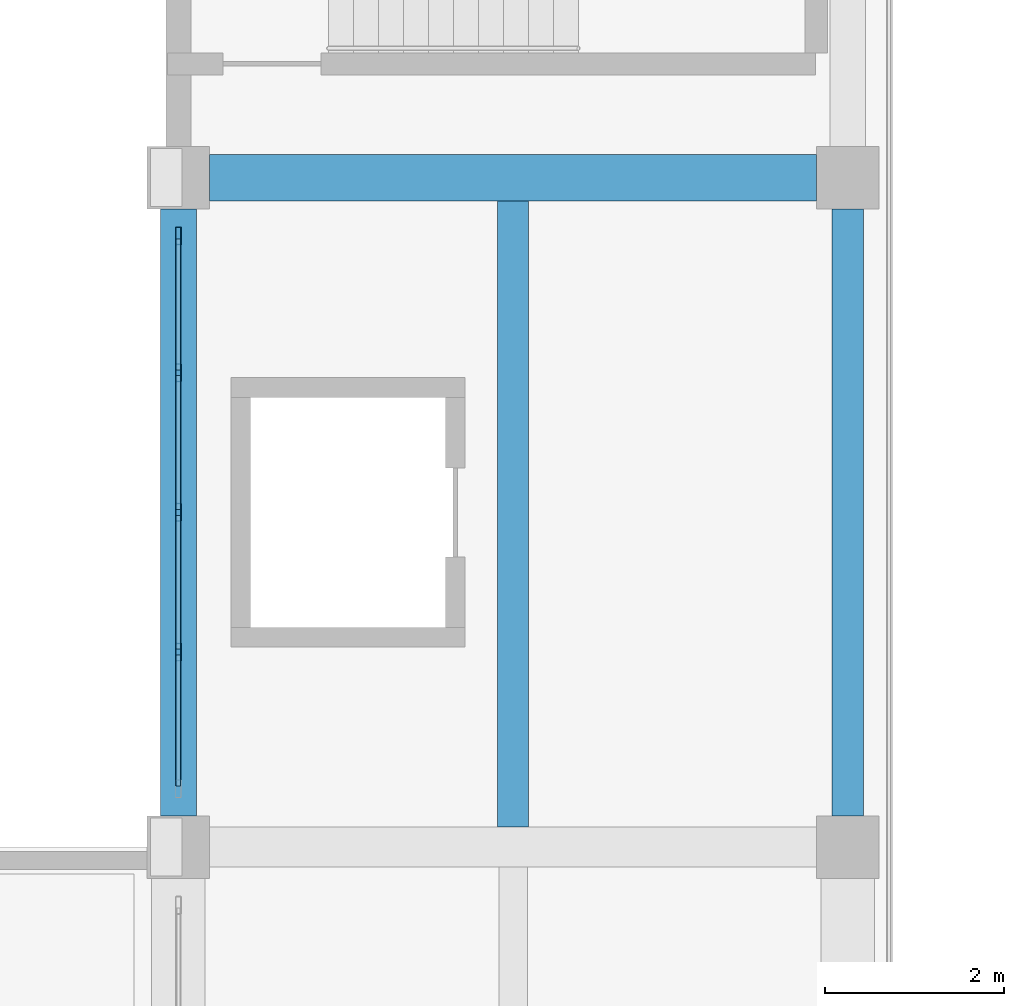
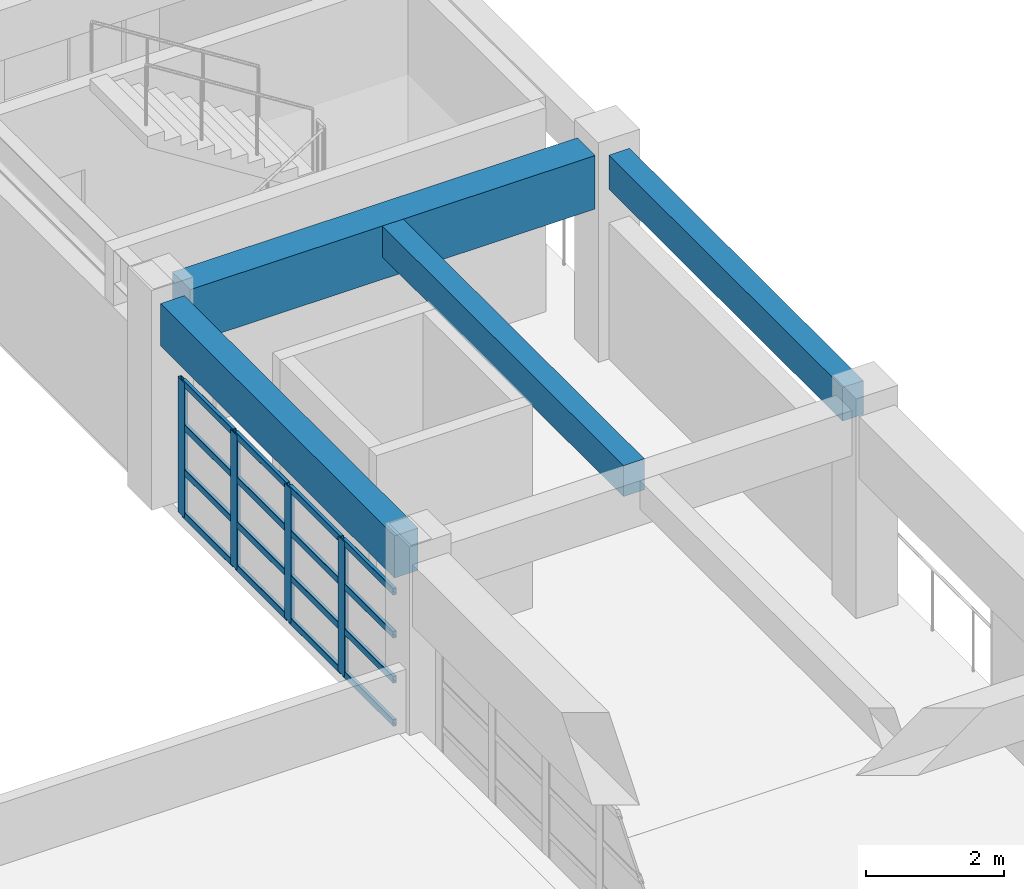
# One storey, part 15 of 82: 20 members, 4 beams, 1 element without a shape of its own.
"""IFC4 building model written with IfcOpenShell, lengths in metres."""

from ifc_helpers import new_model, si_unit, direction, frame, origin, origin_2d, place, context, subcontext, project, spatial, rectangle, hollow_rectangle, extrude, material, material_profile, profile_set, type_object, element, aggregate, save


model = new_model("IFC4")

# Units and contexts
model_context = context("Model", 3, precision=1e-05, world=origin(), true_north=direction((0.0, 1.0)))
body_context = subcontext(model_context, "Body", "Model", "MODEL_VIEW")
ifc_project = project(units=[si_unit("LENGTHUNIT", "METRE"), si_unit("AREAUNIT", "SQUARE_METRE"), si_unit("VOLUMEUNIT", "CUBIC_METRE"), si_unit("PLANEANGLEUNIT", "RADIAN"), si_unit("MASSUNIT", "GRAM", prefix="KILO")], contexts=[model_context])

# Site, building, storey
site_placement = place(None, origin())
site = spatial("IfcSite", under=ifc_project, at=site_placement, CompositionType="ELEMENT")
building_placement = place(site_placement, origin())
building = spatial("IfcBuilding", under=site, at=building_placement, Name="Qasida Concert Hall", CompositionType="ELEMENT")
storey_placement = place(building_placement, frame((0.0, 0.0, 17.10009765625)))
storey = spatial("IfcBuildingStorey", under=building, at=storey_placement, Name="L04", CompositionType="ELEMENT", Elevation=17.10009765625)

# Beams
ifc_material_1 = material(Name="Concrete C40/50", Category="concrete")
ifc_material_profile_1 = material_profile(ifc_material_1, rectangle(XDim=0.35009765625, YDim=0.60009765625, at=origin_2d()), Name="RC 350x600")
ifc_profile_set_1 = profile_set([ifc_material_profile_1], Name="Concrete C40/50")
beam_type_1 = type_object("IfcBeamType", Name="BM-B2", PredefinedType="BEAM", material=ifc_profile_set_1)
beam_1_placement = place(storey_placement, frame((60.0, 37.85009765625, 3.31982421875), z_axis=(0.0, 1.0, 0.0), x_axis=(-1.0, 0.0, 0.0)))
element("IfcBeam", 1, at=beam_1_placement, inside=storey, type_object=beam_type_1, Name="L04 girder 1845", PredefinedType="BEAM", context=body_context, shape_type="SweptSolid", body=[
    extrude(rectangle(XDim=0.35009765625, YDim=0.60009765625, at=origin_2d()), origin(), (0.0, 0.0, 1.0), 6.7998046875),
])
ifc_material_profile_2 = material_profile(ifc_material_1, rectangle(XDim=0.52001953125, YDim=0.949951171875, at=origin_2d()), Name="RC 520x950")
ifc_profile_set_2 = profile_set([ifc_material_profile_2], Name="Concrete C40/50")
beam_type_2 = type_object("IfcBeamType", Name="BM-G7", PredefinedType="USERDEFINED", material=ifc_profile_set_2)
beam_2_placement = place(storey_placement, frame((52.85009765625, 45.0, 3.14501953125), z_axis=(1.0, 0.0, 0.0), x_axis=(0.0, 1.0, 0.0)))
element("IfcBeam", 2, at=beam_2_placement, inside=storey, type_object=beam_type_2, Name="Primary girder 1817", ObjectType="GIRDER", PredefinedType="USERDEFINED", context=body_context, shape_type="SweptSolid", body=[
    extrude(rectangle(XDim=0.52001953125, YDim=0.949951171875, at=origin_2d()), origin(), (0.0, 0.0, 1.0), 6.7998046875),
])
ifc_material_profile_3 = material_profile(ifc_material_1, rectangle(XDim=0.35009765625, YDim=0.550048828125, at=origin_2d()), Name="RC 350x550")
ifc_profile_set_3 = profile_set([ifc_material_profile_3], Name="Concrete C40/50")
beam_type_3 = type_object("IfcBeamType", Name="BM-J8", PredefinedType="JOIST", material=ifc_profile_set_3)
beam_3_placement = place(storey_placement, frame((56.25, 37.72509765625, 3.344970703125), z_axis=(0.0, 1.0, 0.0), x_axis=(-1.0, 0.0, 0.0)))
element("IfcBeam", 3, at=beam_3_placement, inside=storey, type_object=beam_type_3, Name="L04 secondary joist 1871", PredefinedType="JOIST", context=body_context, shape_type="SweptSolid", body=[
    extrude(rectangle(XDim=0.35009765625, YDim=0.550048828125, at=origin_2d()), origin(), (0.0, 0.0, 1.0), 7.014892578125),
])
ifc_material_profile_4 = material_profile(ifc_material_1, rectangle(XDim=0.39990234375, YDim=0.75, at=origin_2d()), Name="RC 400x750")
ifc_profile_set_4 = profile_set([ifc_material_profile_4], Name="Concrete C40/50")
beam_type_4 = type_object("IfcBeamType", Name="BM-SP1", PredefinedType="SPANDREL", material=ifc_profile_set_4)
beam_4_placement = place(storey_placement, frame((52.5, 37.85009765625, 3.244873046875), z_axis=(0.0, 1.0, 0.0), x_axis=(-1.0, 0.0, 0.0)))
element("IfcBeam", 4, at=beam_4_placement, inside=storey, type_object=beam_type_4, Name="L04 girder 1839", PredefinedType="SPANDREL", context=body_context, shape_type="SweptSolid", body=[
    extrude(rectangle(XDim=0.39990234375, YDim=0.75, at=origin_2d()), origin(), (0.0, 0.0, 1.0), 6.7998046875),
])

# Curtain wall, members
ifc_material_2 = material(Name="Architectural bronze-anodized aluminium and low-E glass", Category="aluminium")
curtain_wall_type = type_object("IfcCurtainWallType", Name="CW-11", PredefinedType="NOTDEFINED", material=ifc_material_2)
curtain_wall_placement = place(storey_placement, origin())
curtain_wall = element("IfcCurtainWall", 5, at=curtain_wall_placement, inside=storey, type_object=curtain_wall_type, Name="L04 curtain wall CW-11 0058", PredefinedType="NOTDEFINED")
ifc_material_3 = material(Name="Architectural bronze-anodized aluminium EN AW-6063", Category="aluminium")
ifc_material_profile_5 = material_profile(ifc_material_3, hollow_rectangle(XDim=0.06494140625, YDim=0.199951171875, WallThickness=0.0048828125, InnerFilletRadius=0.0048828125, OuterFilletRadius=0.010009765625, at=origin_2d()), Name="CWM 200x65x5")
ifc_profile_set_5 = profile_set([ifc_material_profile_5], Name="Architectural bronze-anodized aluminium EN AW-6063")
member_type_1 = type_object("IfcMemberType", Name="MB-CWM-2", PredefinedType="MULLION", material=ifc_profile_set_5)
member_1_placement = place(storey_placement, frame((52.5, 39.68505859375, 0.0), z_axis=(0.0, 0.0, 1.0), x_axis=(-1.0, 0.0, 0.0)))
member_1 = element("IfcMember", 6, at=member_1_placement, type_object=member_type_1, Name="CW-11 mullion 2", PredefinedType="MULLION", context=body_context, shape_type="SweptSolid", body=[
    extrude(hollow_rectangle(XDim=0.06494140625, YDim=0.199951171875, WallThickness=0.0048828125, InnerFilletRadius=0.0048828125, OuterFilletRadius=0.010009765625, at=origin_2d()), origin(), (0.0, 0.0, 1.0), 2.389892578125),
])
member_2_placement = place(storey_placement, frame((52.5, 41.25, 0.0), z_axis=(0.0, 0.0, 1.0), x_axis=(-1.0, 0.0, 0.0)))
member_2 = element("IfcMember", 7, at=member_2_placement, type_object=member_type_1, Name="CW-11 mullion 3", PredefinedType="MULLION", context=body_context, shape_type="SweptSolid", body=[
    extrude(hollow_rectangle(XDim=0.06494140625, YDim=0.199951171875, WallThickness=0.0048828125, InnerFilletRadius=0.0048828125, OuterFilletRadius=0.010009765625, at=origin_2d()), origin(), (0.0, 0.0, 1.0), 2.389892578125),
])
member_3_placement = place(storey_placement, frame((52.5, 42.81494140625, 0.0), z_axis=(0.0, 0.0, 1.0), x_axis=(-1.0, 0.0, 0.0)))
member_3 = element("IfcMember", 8, at=member_3_placement, type_object=member_type_1, Name="CW-11 mullion 4", PredefinedType="MULLION", context=body_context, shape_type="SweptSolid", body=[
    extrude(hollow_rectangle(XDim=0.06494140625, YDim=0.199951171875, WallThickness=0.0048828125, InnerFilletRadius=0.0048828125, OuterFilletRadius=0.010009765625, at=origin_2d()), origin(), (0.0, 0.0, 1.0), 2.389892578125),
])
member_4_placement = place(storey_placement, frame((52.5, 44.347412109375, 0.0), z_axis=(0.0, 0.0, 1.0), x_axis=(-1.0, 0.0, 0.0)))
member_4 = element("IfcMember", 9, at=member_4_placement, type_object=member_type_1, Name="CW-11 mullion 5", PredefinedType="MULLION", context=body_context, shape_type="SweptSolid", body=[
    extrude(hollow_rectangle(XDim=0.06494140625, YDim=0.199951171875, WallThickness=0.0048828125, InnerFilletRadius=0.0048828125, OuterFilletRadius=0.010009765625, at=origin_2d()), origin(), (0.0, 0.0, 1.0), 2.389892578125),
])
ifc_material_profile_6 = material_profile(ifc_material_3, hollow_rectangle(XDim=0.06005859375, YDim=0.1201171875, WallThickness=0.00390625, InnerFilletRadius=0.00390625, OuterFilletRadius=0.008056640625, at=origin_2d()), Name="CWT 120x60x4")
ifc_profile_set_6 = profile_set([ifc_material_profile_6], Name="Architectural bronze-anodized aluminium EN AW-6063")
member_type_2 = type_object("IfcMemberType", Name="MB-CWT-2", PredefinedType="USERDEFINED", material=ifc_profile_set_6)
member_5_placement = place(storey_placement, frame((52.5, 38.18505859375, 0.02978515625), z_axis=(0.0, 1.0, 0.0), x_axis=(-1.0, 0.0, 0.0)))
member_5 = element("IfcMember", 10, at=member_5_placement, type_object=member_type_2, Name="CW-11 transom 1.1", ObjectType="TRANSOM", PredefinedType="USERDEFINED", context=body_context, shape_type="SweptSolid", body=[
    extrude(hollow_rectangle(XDim=0.06005859375, YDim=0.1201171875, WallThickness=0.00390625, InnerFilletRadius=0.00390625, OuterFilletRadius=0.008056640625, at=origin_2d()), origin(), (0.0, 0.0, 1.0), 1.467529296875),
])
member_6_placement = place(storey_placement, frame((52.5, 38.18505859375, 0.796630859375), z_axis=(0.0, 1.0, 0.0), x_axis=(-1.0, 0.0, 0.0)))
member_6 = element("IfcMember", 11, at=member_6_placement, type_object=member_type_2, Name="CW-11 transom 1.2", ObjectType="TRANSOM", PredefinedType="USERDEFINED", context=body_context, shape_type="SweptSolid", body=[
    extrude(hollow_rectangle(XDim=0.06005859375, YDim=0.1201171875, WallThickness=0.00390625, InnerFilletRadius=0.00390625, OuterFilletRadius=0.008056640625, at=origin_2d()), origin(), (0.0, 0.0, 1.0), 1.467529296875),
])
member_7_placement = place(storey_placement, frame((52.5, 38.18505859375, 1.59326171875), z_axis=(0.0, 1.0, 0.0), x_axis=(-1.0, 0.0, 0.0)))
member_7 = element("IfcMember", 12, at=member_7_placement, type_object=member_type_2, Name="CW-11 transom 1.3", ObjectType="TRANSOM", PredefinedType="USERDEFINED", context=body_context, shape_type="SweptSolid", body=[
    extrude(hollow_rectangle(XDim=0.06005859375, YDim=0.1201171875, WallThickness=0.00390625, InnerFilletRadius=0.00390625, OuterFilletRadius=0.008056640625, at=origin_2d()), origin(), (0.0, 0.0, 1.0), 1.467529296875),
])
member_8_placement = place(storey_placement, frame((52.5, 38.18505859375, 2.35986328125), z_axis=(0.0, 1.0, 0.0), x_axis=(-1.0, 0.0, 0.0)))
member_8 = element("IfcMember", 13, at=member_8_placement, type_object=member_type_2, Name="CW-11 transom 1.4", ObjectType="TRANSOM", PredefinedType="USERDEFINED", context=body_context, shape_type="SweptSolid", body=[
    extrude(hollow_rectangle(XDim=0.06005859375, YDim=0.1201171875, WallThickness=0.00390625, InnerFilletRadius=0.00390625, OuterFilletRadius=0.008056640625, at=origin_2d()), origin(), (0.0, 0.0, 1.0), 1.467529296875),
])
member_9_placement = place(storey_placement, frame((52.5, 39.717529296875, 0.02978515625), z_axis=(0.0, 1.0, 0.0), x_axis=(-1.0, 0.0, 0.0)))
member_9 = element("IfcMember", 14, at=member_9_placement, type_object=member_type_2, Name="CW-11 transom 2.1", ObjectType="TRANSOM", PredefinedType="USERDEFINED", context=body_context, shape_type="SweptSolid", body=[
    extrude(hollow_rectangle(XDim=0.06005859375, YDim=0.1201171875, WallThickness=0.00390625, InnerFilletRadius=0.00390625, OuterFilletRadius=0.008056640625, at=origin_2d()), origin(), (0.0, 0.0, 1.0), 1.5),
])
member_10_placement = place(storey_placement, frame((52.5, 39.717529296875, 0.796630859375), z_axis=(0.0, 1.0, 0.0), x_axis=(-1.0, 0.0, 0.0)))
member_10 = element("IfcMember", 15, at=member_10_placement, type_object=member_type_2, Name="CW-11 transom 2.2", ObjectType="TRANSOM", PredefinedType="USERDEFINED", context=body_context, shape_type="SweptSolid", body=[
    extrude(hollow_rectangle(XDim=0.06005859375, YDim=0.1201171875, WallThickness=0.00390625, InnerFilletRadius=0.00390625, OuterFilletRadius=0.008056640625, at=origin_2d()), origin(), (0.0, 0.0, 1.0), 1.5),
])
member_11_placement = place(storey_placement, frame((52.5, 39.717529296875, 1.59326171875), z_axis=(0.0, 1.0, 0.0), x_axis=(-1.0, 0.0, 0.0)))
member_11 = element("IfcMember", 16, at=member_11_placement, type_object=member_type_2, Name="CW-11 transom 2.3", ObjectType="TRANSOM", PredefinedType="USERDEFINED", context=body_context, shape_type="SweptSolid", body=[
    extrude(hollow_rectangle(XDim=0.06005859375, YDim=0.1201171875, WallThickness=0.00390625, InnerFilletRadius=0.00390625, OuterFilletRadius=0.008056640625, at=origin_2d()), origin(), (0.0, 0.0, 1.0), 1.5),
])
member_12_placement = place(storey_placement, frame((52.5, 39.717529296875, 2.35986328125), z_axis=(0.0, 1.0, 0.0), x_axis=(-1.0, 0.0, 0.0)))
member_12 = element("IfcMember", 17, at=member_12_placement, type_object=member_type_2, Name="CW-11 transom 2.4", ObjectType="TRANSOM", PredefinedType="USERDEFINED", context=body_context, shape_type="SweptSolid", body=[
    extrude(hollow_rectangle(XDim=0.06005859375, YDim=0.1201171875, WallThickness=0.00390625, InnerFilletRadius=0.00390625, OuterFilletRadius=0.008056640625, at=origin_2d()), origin(), (0.0, 0.0, 1.0), 1.5),
])
member_13_placement = place(storey_placement, frame((52.5, 41.282470703125, 0.02978515625), z_axis=(0.0, 1.0, 0.0), x_axis=(-1.0, 0.0, 0.0)))
member_13 = element("IfcMember", 18, at=member_13_placement, type_object=member_type_2, Name="CW-11 transom 3.1", ObjectType="TRANSOM", PredefinedType="USERDEFINED", context=body_context, shape_type="SweptSolid", body=[
    extrude(hollow_rectangle(XDim=0.06005859375, YDim=0.1201171875, WallThickness=0.00390625, InnerFilletRadius=0.00390625, OuterFilletRadius=0.008056640625, at=origin_2d()), origin(), (0.0, 0.0, 1.0), 1.5),
])
member_14_placement = place(storey_placement, frame((52.5, 41.282470703125, 0.796630859375), z_axis=(0.0, 1.0, 0.0), x_axis=(-1.0, 0.0, 0.0)))
member_14 = element("IfcMember", 19, at=member_14_placement, type_object=member_type_2, Name="CW-11 transom 3.2", ObjectType="TRANSOM", PredefinedType="USERDEFINED", context=body_context, shape_type="SweptSolid", body=[
    extrude(hollow_rectangle(XDim=0.06005859375, YDim=0.1201171875, WallThickness=0.00390625, InnerFilletRadius=0.00390625, OuterFilletRadius=0.008056640625, at=origin_2d()), origin(), (0.0, 0.0, 1.0), 1.5),
])
member_15_placement = place(storey_placement, frame((52.5, 41.282470703125, 1.59326171875), z_axis=(0.0, 1.0, 0.0), x_axis=(-1.0, 0.0, 0.0)))
member_15 = element("IfcMember", 20, at=member_15_placement, type_object=member_type_2, Name="CW-11 transom 3.3", ObjectType="TRANSOM", PredefinedType="USERDEFINED", context=body_context, shape_type="SweptSolid", body=[
    extrude(hollow_rectangle(XDim=0.06005859375, YDim=0.1201171875, WallThickness=0.00390625, InnerFilletRadius=0.00390625, OuterFilletRadius=0.008056640625, at=origin_2d()), origin(), (0.0, 0.0, 1.0), 1.5),
])
member_16_placement = place(storey_placement, frame((52.5, 41.282470703125, 2.35986328125), z_axis=(0.0, 1.0, 0.0), x_axis=(-1.0, 0.0, 0.0)))
member_16 = element("IfcMember", 21, at=member_16_placement, type_object=member_type_2, Name="CW-11 transom 3.4", ObjectType="TRANSOM", PredefinedType="USERDEFINED", context=body_context, shape_type="SweptSolid", body=[
    extrude(hollow_rectangle(XDim=0.06005859375, YDim=0.1201171875, WallThickness=0.00390625, InnerFilletRadius=0.00390625, OuterFilletRadius=0.008056640625, at=origin_2d()), origin(), (0.0, 0.0, 1.0), 1.5),
])
member_17_placement = place(storey_placement, frame((52.5, 42.847412109375, 0.02978515625), z_axis=(0.0, 1.0, 0.0), x_axis=(-1.0, 0.0, 0.0)))
member_17 = element("IfcMember", 22, at=member_17_placement, type_object=member_type_2, Name="CW-11 transom 4.1", ObjectType="TRANSOM", PredefinedType="USERDEFINED", context=body_context, shape_type="SweptSolid", body=[
    extrude(hollow_rectangle(XDim=0.06005859375, YDim=0.1201171875, WallThickness=0.00390625, InnerFilletRadius=0.00390625, OuterFilletRadius=0.008056640625, at=origin_2d()), origin(), (0.0, 0.0, 1.0), 1.467529296875),
])
member_18_placement = place(storey_placement, frame((52.5, 42.847412109375, 0.796630859375), z_axis=(0.0, 1.0, 0.0), x_axis=(-1.0, 0.0, 0.0)))
member_18 = element("IfcMember", 23, at=member_18_placement, type_object=member_type_2, Name="CW-11 transom 4.2", ObjectType="TRANSOM", PredefinedType="USERDEFINED", context=body_context, shape_type="SweptSolid", body=[
    extrude(hollow_rectangle(XDim=0.06005859375, YDim=0.1201171875, WallThickness=0.00390625, InnerFilletRadius=0.00390625, OuterFilletRadius=0.008056640625, at=origin_2d()), origin(), (0.0, 0.0, 1.0), 1.467529296875),
])
member_19_placement = place(storey_placement, frame((52.5, 42.847412109375, 1.59326171875), z_axis=(0.0, 1.0, 0.0), x_axis=(-1.0, 0.0, 0.0)))
member_19 = element("IfcMember", 24, at=member_19_placement, type_object=member_type_2, Name="CW-11 transom 4.3", ObjectType="TRANSOM", PredefinedType="USERDEFINED", context=body_context, shape_type="SweptSolid", body=[
    extrude(hollow_rectangle(XDim=0.06005859375, YDim=0.1201171875, WallThickness=0.00390625, InnerFilletRadius=0.00390625, OuterFilletRadius=0.008056640625, at=origin_2d()), origin(), (0.0, 0.0, 1.0), 1.467529296875),
])
member_20_placement = place(storey_placement, frame((52.5, 42.847412109375, 2.35986328125), z_axis=(0.0, 1.0, 0.0), x_axis=(-1.0, 0.0, 0.0)))
member_20 = element("IfcMember", 25, at=member_20_placement, type_object=member_type_2, Name="CW-11 transom 4.4", ObjectType="TRANSOM", PredefinedType="USERDEFINED", context=body_context, shape_type="SweptSolid", body=[
    extrude(hollow_rectangle(XDim=0.06005859375, YDim=0.1201171875, WallThickness=0.00390625, InnerFilletRadius=0.00390625, OuterFilletRadius=0.008056640625, at=origin_2d()), origin(), (0.0, 0.0, 1.0), 1.467529296875),
])
aggregate(curtain_wall, [member_1, member_2, member_3, member_4, member_5, member_6, member_7, member_8, member_9, member_10, member_11, member_12, member_13, member_14, member_15, member_16, member_17, member_18, member_19, member_20])

save(model, "model.ifc")
